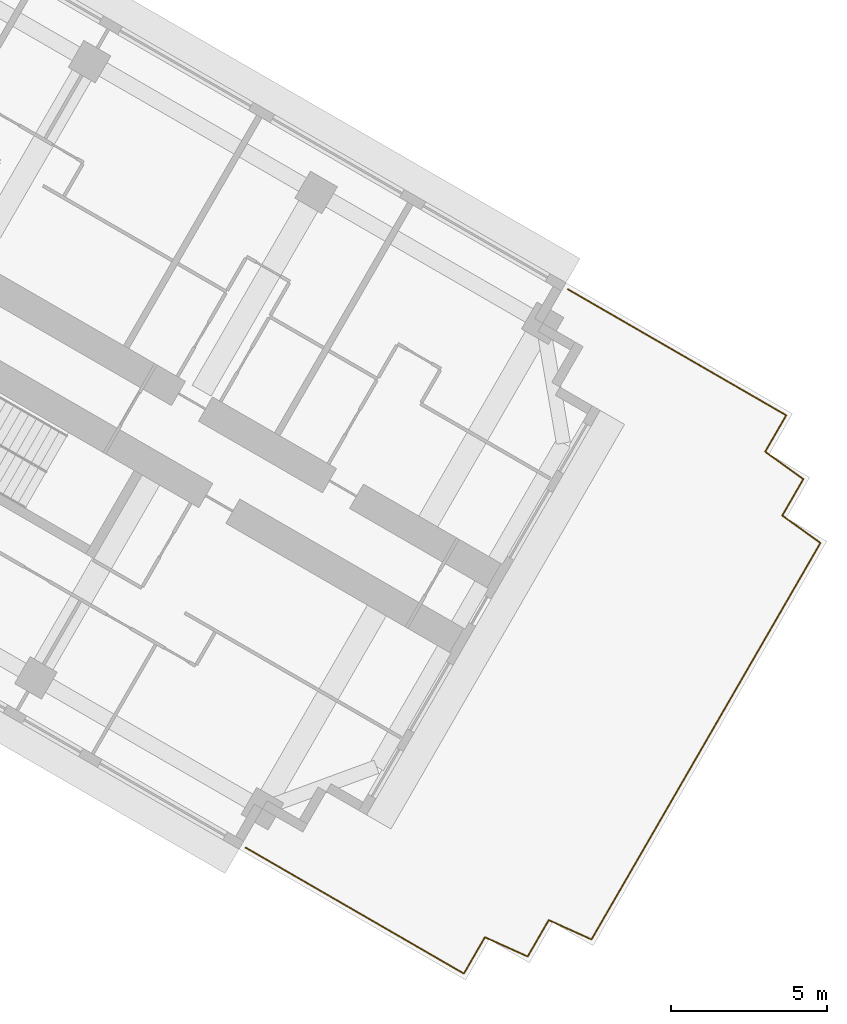
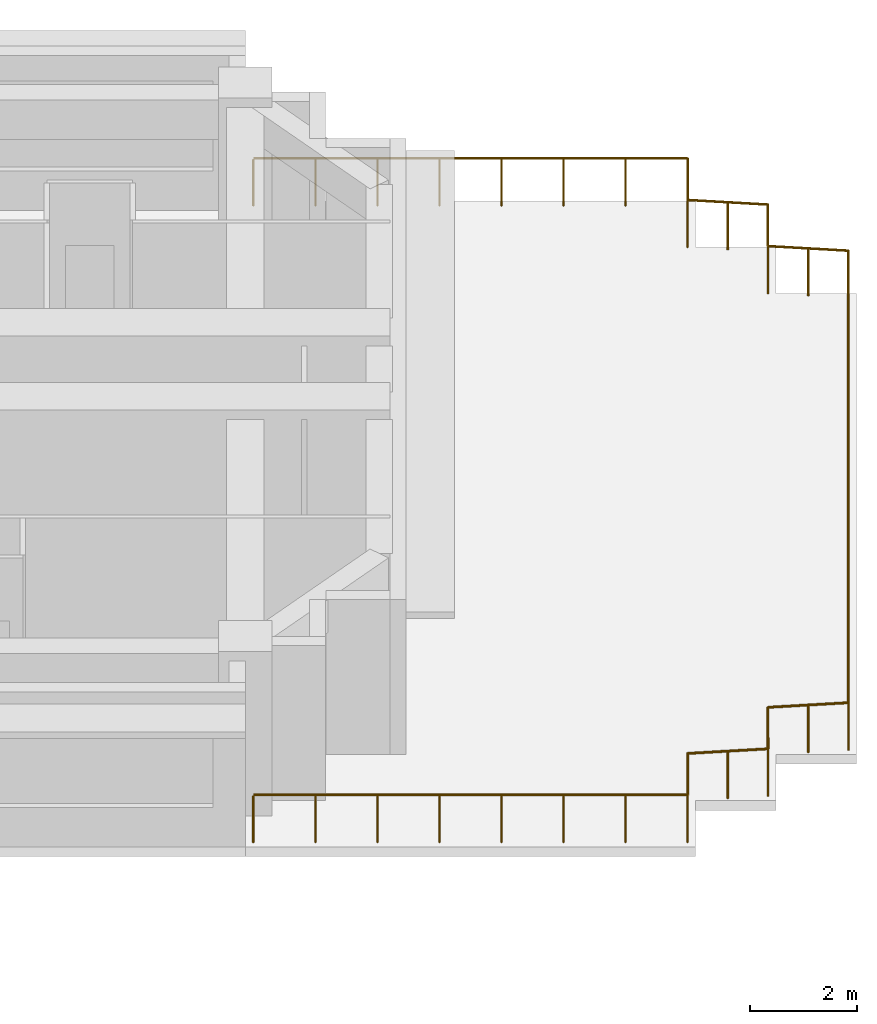
# One storey, part 14 of 14: 1 railing.
"""IFC4 building model written with IfcOpenShell, lengths in metres."""

from ifc_helpers import new_model, si_unit, direction, frame, origin, origin_2d, place, context, subcontext, project, spatial, circle, extrude, material, type_object, element, save


model = new_model("IFC4")

# Units and contexts
model_context = context("Model", 3, precision=1e-05, world=origin(), true_north=direction((0.0, 1.0)))
body_context = subcontext(model_context, "Body", "Model", "MODEL_VIEW")
ifc_project = project(units=[si_unit("LENGTHUNIT", "METRE"), si_unit("AREAUNIT", "SQUARE_METRE"), si_unit("VOLUMEUNIT", "CUBIC_METRE"), si_unit("PLANEANGLEUNIT", "RADIAN"), si_unit("MASSUNIT", "GRAM", prefix="KILO")], contexts=[model_context])

# Site, building, storey
site_placement = place(None, origin())
site = spatial("IfcSite", under=ifc_project, at=site_placement, CompositionType="ELEMENT")
building_placement = place(site_placement, origin())
building = spatial("IfcBuilding", under=site, at=building_placement, Name="Impinga Residences", CompositionType="ELEMENT")
storey_placement = place(building_placement, frame((0.0, 0.0, 158.5)))
storey = spatial("IfcBuildingStorey", under=building, at=storey_placement, Name="L39", CompositionType="ELEMENT", Elevation=158.5)

# Railing
ifc_material = material(Name="Laminated glass guard, stainless steel top rail", Category="steel")
railing_type = type_object("IfcRailingType", Name="GT1 terrace guard 1100, glass infill", PredefinedType="GUARDRAIL", material=ifc_material)
railing_placement = place(storey_placement, frame((37.029541015625, -9.427978515625, 0.0)))
element("IfcRailing", 1, at=railing_placement, inside=storey, type_object=railing_type, Name="Terrace guard GT1 L39", PredefinedType="GUARDRAIL", context=body_context, shape_type="SweptSolid", body=[
    extrude(circle(Radius=0.02392578125, at=origin_2d()), frame((0.0, 0.0, 1.076171875), z_axis=(0.866034487114, -0.499984266882, 0.0), x_axis=(0.499984266882, 0.866034487114, 0.0)), (0.0, 0.0, 1.0), 8.098876953125),
    extrude(circle(Radius=0.02392578125, at=origin_2d()), frame((7.013916015625, -4.04931640625, 1.076171875), z_axis=(-0.499873791142, -0.866098258242, 0.0), x_axis=(0.866098258242, -0.499873791142, 0.0)), (0.0, 0.0, 1.0), 1.349853515625),
    extrude(circle(Radius=0.02392578125, at=origin_2d()), frame((6.339111328125, -5.218505859375, 1.076171875), z_axis=(0.811945801708, -0.583732828517, 0.0), x_axis=(0.583732828517, 0.811945801708, 0.0)), (0.0, 0.0, 1.0), 1.50732421875),
    extrude(circle(Radius=0.02392578125, at=origin_2d()), frame((7.56298828125, -6.098388671875, 1.076171875), z_axis=(-0.50000943426, -0.866019956843, 0.0), x_axis=(0.866019956843, -0.50000943426, 0.0)), (0.0, 0.0, 1.0), 1.35009765625),
    extrude(circle(Radius=0.02392578125, at=origin_2d()), frame((6.887939453125, -7.267578125, 1.076171875), z_axis=(0.812000980464, -0.583656069723, 0.0), x_axis=(0.583656069723, 0.812000980464, 0.0)), (0.0, 0.0, 1.0), 1.507568359375),
    extrude(circle(Radius=0.02392578125, at=origin_2d()), frame((8.112060546875, -8.1474609375, 1.076171875), z_axis=(-0.499988418424, -0.866032090307, 0.0), x_axis=(0.866032090307, -0.499988418424, 0.0)), (0.0, 0.0, 1.0), 14.699951171875),
    extrude(circle(Radius=0.02392578125, at=origin_2d()), frame((0.76220703125, -20.878173828125, 1.076171875), z_axis=(-0.911499874161, 0.411300351816, 0.0), x_axis=(-0.411300351816, -0.911499874161, 0.0)), (0.0, 0.0, 1.0), 1.5078125),
    extrude(circle(Radius=0.02392578125, at=origin_2d()), frame((-0.612060546875, -20.258056640625, 1.076171875), z_axis=(-0.499952099219, -0.866053057547, 0.0), x_axis=(0.866053057547, -0.499952099219, 0.0)), (0.0, 0.0, 1.0), 1.349853515625),
    extrude(circle(Radius=0.02392578125, at=origin_2d()), frame((-1.286865234375, -21.427001953125, 1.076171875), z_axis=(-0.911533192379, 0.411226505944, 0.0), x_axis=(-0.411226505944, -0.911533192379, 0.0)), (0.0, 0.0, 1.0), 1.50732421875),
    extrude(circle(Radius=0.02392578125, at=origin_2d()), frame((-2.660888671875, -20.80712890625, 1.076171875), z_axis=(-0.50008774942, -0.865974735705, 0.0), x_axis=(0.865974735705, -0.50008774942, 0.0)), (0.0, 0.0, 1.0), 1.349853515625),
    extrude(circle(Radius=0.02392578125, at=origin_2d()), frame((-3.3359375, -21.97607421875, 1.076171875), z_axis=(-0.866034487114, 0.499984266882, 0.0), x_axis=(-0.499984266882, -0.866034487114, 0.0)), (0.0, 0.0, 1.0), 8.098876953125),
    extrude(circle(Radius=0.02099609375, at=origin_2d()), origin(), (0.0, 0.0, 1.0), 1.052001953125),
    extrude(circle(Radius=0.02099609375, at=origin_2d()), frame((1.001953125, -0.578369140625, 0.0)), (0.0, 0.0, 1.0), 1.052001953125),
    extrude(circle(Radius=0.02099609375, at=origin_2d()), frame((2.00390625, -1.156982421875, 0.0)), (0.0, 0.0, 1.0), 1.052001953125),
    extrude(circle(Radius=0.02099609375, at=origin_2d()), frame((3.005859375, -1.7353515625, 0.0)), (0.0, 0.0, 1.0), 1.052001953125),
    extrude(circle(Radius=0.02099609375, at=origin_2d()), frame((4.008056640625, -2.31396484375, 0.0)), (0.0, 0.0, 1.0), 1.052001953125),
    extrude(circle(Radius=0.02099609375, at=origin_2d()), frame((5.010009765625, -2.892333984375, 0.0)), (0.0, 0.0, 1.0), 1.052001953125),
    extrude(circle(Radius=0.02099609375, at=origin_2d()), frame((6.011962890625, -3.470947265625, 0.0)), (0.0, 0.0, 1.0), 1.052001953125),
    extrude(circle(Radius=0.02099609375, at=origin_2d()), frame((7.013916015625, -4.04931640625, 0.0)), (0.0, 0.0, 1.0), 1.052001953125),
    extrude(circle(Radius=0.02099609375, at=origin_2d()), frame((6.676513671875, -4.6337890625, 0.0)), (0.0, 0.0, 1.0), 1.052001953125),
    extrude(circle(Radius=0.02099609375, at=origin_2d()), frame((6.339111328125, -5.218505859375, 0.0)), (0.0, 0.0, 1.0), 1.052001953125),
    extrude(circle(Radius=0.02099609375, at=origin_2d()), frame((6.951171875, -5.658447265625, 0.0)), (0.0, 0.0, 1.0), 1.052001953125),
    extrude(circle(Radius=0.02099609375, at=origin_2d()), frame((7.56298828125, -6.098388671875, 0.0)), (0.0, 0.0, 1.0), 1.052001953125),
    extrude(circle(Radius=0.02099609375, at=origin_2d()), frame((7.2255859375, -6.68310546875, 0.0)), (0.0, 0.0, 1.0), 1.052001953125),
    extrude(circle(Radius=0.02099609375, at=origin_2d()), frame((6.887939453125, -7.267578125, 0.0)), (0.0, 0.0, 1.0), 1.052001953125),
    extrude(circle(Radius=0.02099609375, at=origin_2d()), frame((7.5, -7.70751953125, 0.0)), (0.0, 0.0, 1.0), 1.052001953125),
    extrude(circle(Radius=0.02099609375, at=origin_2d()), frame((8.112060546875, -8.1474609375, 0.0)), (0.0, 0.0, 1.0), 1.052001953125),
    extrude(circle(Radius=0.02099609375, at=origin_2d()), frame((7.546630859375, -9.126708984375, 0.0)), (0.0, 0.0, 1.0), 1.052001953125),
    extrude(circle(Radius=0.02099609375, at=origin_2d()), frame((6.981201171875, -10.10595703125, 0.0)), (0.0, 0.0, 1.0), 1.052001953125),
    extrude(circle(Radius=0.02099609375, at=origin_2d()), frame((6.416015625, -11.085205078125, 0.0)), (0.0, 0.0, 1.0), 1.052001953125),
    extrude(circle(Radius=0.02099609375, at=origin_2d()), frame((5.8505859375, -12.064697265625, 0.0)), (0.0, 0.0, 1.0), 1.052001953125),
    extrude(circle(Radius=0.02099609375, at=origin_2d()), frame((5.28515625, -13.0439453125, 0.0)), (0.0, 0.0, 1.0), 1.052001953125),
    extrude(circle(Radius=0.02099609375, at=origin_2d()), frame((4.7197265625, -14.023193359375, 0.0)), (0.0, 0.0, 1.0), 1.052001953125),
    extrude(circle(Radius=0.02099609375, at=origin_2d()), frame((4.154541015625, -15.00244140625, 0.0)), (0.0, 0.0, 1.0), 1.052001953125),
    extrude(circle(Radius=0.02099609375, at=origin_2d()), frame((3.589111328125, -15.981689453125, 0.0)), (0.0, 0.0, 1.0), 1.052001953125),
    extrude(circle(Radius=0.02099609375, at=origin_2d()), frame((3.023681640625, -16.9609375, 0.0)), (0.0, 0.0, 1.0), 1.052001953125),
    extrude(circle(Radius=0.02099609375, at=origin_2d()), frame((2.458251953125, -17.9404296875, 0.0)), (0.0, 0.0, 1.0), 1.052001953125),
    extrude(circle(Radius=0.02099609375, at=origin_2d()), frame((1.89306640625, -18.919677734375, 0.0)), (0.0, 0.0, 1.0), 1.052001953125),
    extrude(circle(Radius=0.02099609375, at=origin_2d()), frame((1.32763671875, -19.89892578125, 0.0)), (0.0, 0.0, 1.0), 1.052001953125),
    extrude(circle(Radius=0.02099609375, at=origin_2d()), frame((0.76220703125, -20.878173828125, 0.0)), (0.0, 0.0, 1.0), 1.052001953125),
    extrude(circle(Radius=0.02099609375, at=origin_2d()), frame((0.0751953125, -20.568115234375, 0.0)), (0.0, 0.0, 1.0), 1.052001953125),
    extrude(circle(Radius=0.02099609375, at=origin_2d()), frame((-0.612060546875, -20.258056640625, 0.0)), (0.0, 0.0, 1.0), 1.052001953125),
    extrude(circle(Radius=0.02099609375, at=origin_2d()), frame((-0.949462890625, -20.842529296875, 0.0)), (0.0, 0.0, 1.0), 1.052001953125),
    extrude(circle(Radius=0.02099609375, at=origin_2d()), frame((-1.286865234375, -21.427001953125, 0.0)), (0.0, 0.0, 1.0), 1.052001953125),
    extrude(circle(Radius=0.02099609375, at=origin_2d()), frame((-1.973876953125, -21.1171875, 0.0)), (0.0, 0.0, 1.0), 1.052001953125),
    extrude(circle(Radius=0.02099609375, at=origin_2d()), frame((-2.660888671875, -20.80712890625, 0.0)), (0.0, 0.0, 1.0), 1.052001953125),
    extrude(circle(Radius=0.02099609375, at=origin_2d()), frame((-2.99853515625, -21.3916015625, 0.0)), (0.0, 0.0, 1.0), 1.052001953125),
    extrude(circle(Radius=0.02099609375, at=origin_2d()), frame((-3.3359375, -21.97607421875, 0.0)), (0.0, 0.0, 1.0), 1.052001953125),
    extrude(circle(Radius=0.02099609375, at=origin_2d()), frame((-4.337890625, -21.397705078125, 0.0)), (0.0, 0.0, 1.0), 1.052001953125),
    extrude(circle(Radius=0.02099609375, at=origin_2d()), frame((-5.33984375, -20.819091796875, 0.0)), (0.0, 0.0, 1.0), 1.052001953125),
    extrude(circle(Radius=0.02099609375, at=origin_2d()), frame((-6.341796875, -20.24072265625, 0.0)), (0.0, 0.0, 1.0), 1.052001953125),
    extrude(circle(Radius=0.02099609375, at=origin_2d()), frame((-7.343994140625, -19.662109375, 0.0)), (0.0, 0.0, 1.0), 1.052001953125),
    extrude(circle(Radius=0.02099609375, at=origin_2d()), frame((-8.345947265625, -19.083740234375, 0.0)), (0.0, 0.0, 1.0), 1.052001953125),
    extrude(circle(Radius=0.02099609375, at=origin_2d()), frame((-9.347900390625, -18.505126953125, 0.0)), (0.0, 0.0, 1.0), 1.052001953125),
    extrude(circle(Radius=0.02099609375, at=origin_2d()), frame((-10.349853515625, -17.9267578125, 0.0)), (0.0, 0.0, 1.0), 1.052001953125),
])

save(model, "model.ifc")
